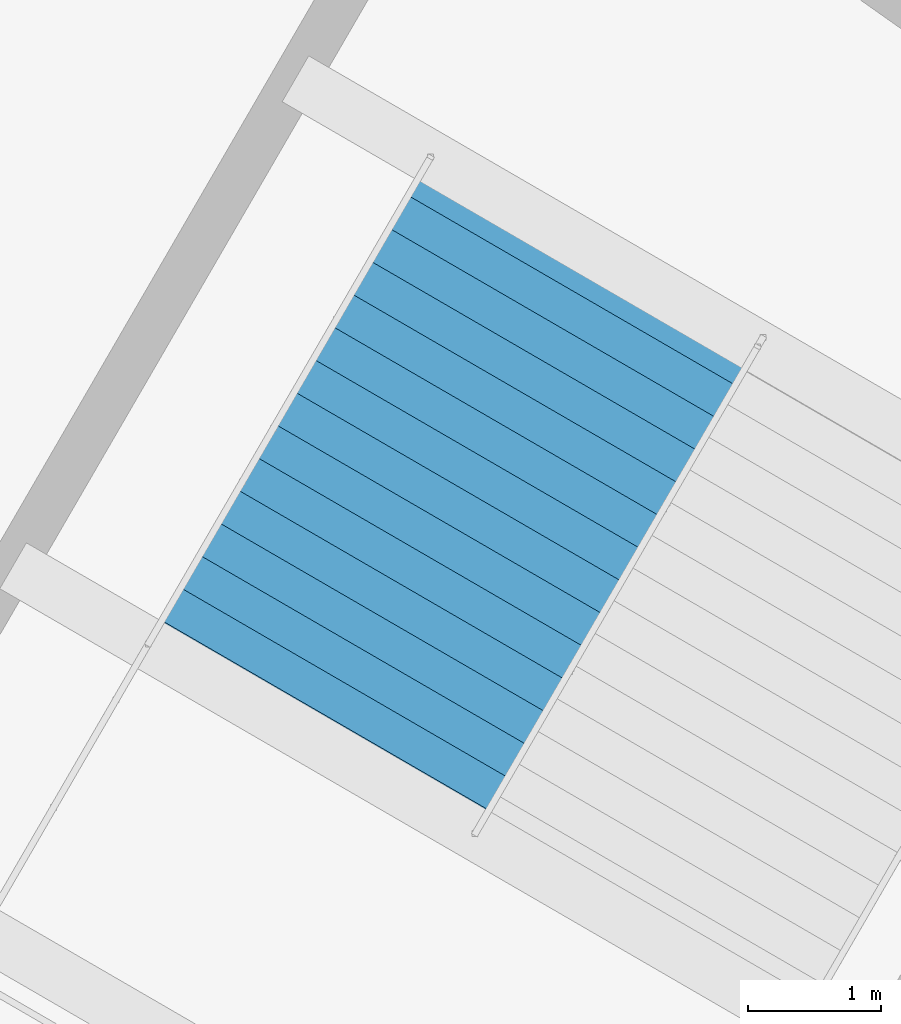
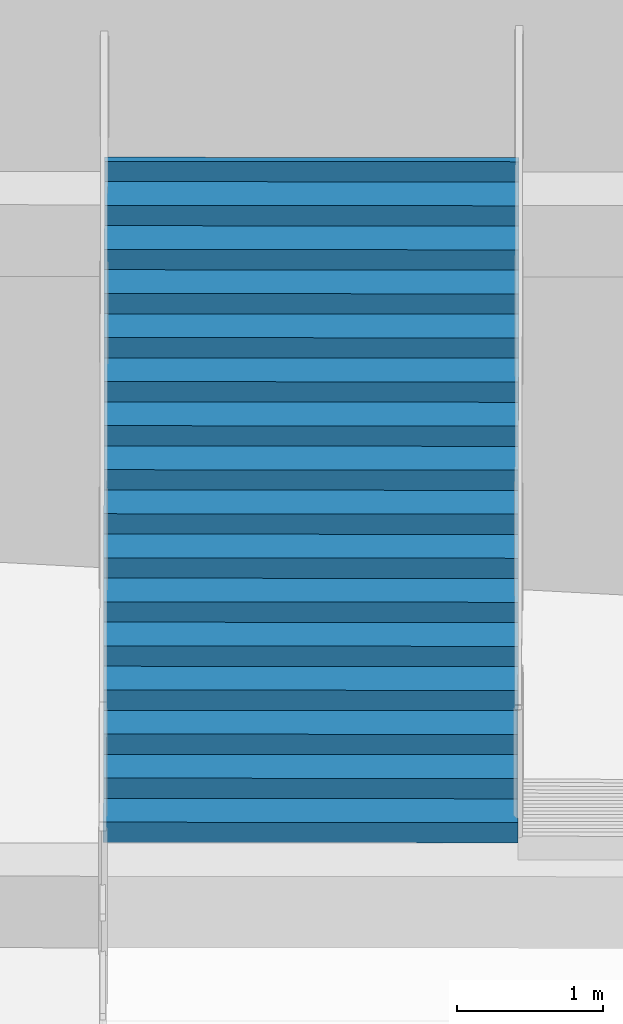
# One storey, part 89 of 103: 1 stair flight, 1 element without a shape of its own.
"""IFC4 building model written with IfcOpenShell, lengths in metres."""

import ifcopenshell
import ifcopenshell.guid

model = None  # the IFC model being written
_history = None  # IfcOwnerHistory: only IFC2X3 demands one
_inside = {}  # id of a spatial element -> (the spatial element, [elements in it])
_under = {}  # id of a project, library or spatial element -> (it, [spatial elements below it])
_declared = {}  # id of a project -> (the project, [libraries it declares])
_typed = {}  # id of a type object -> (the type object, [elements of that type])
_made_of = {}  # id of a material, layer set ... -> (it, [elements and type objects made of it])


def new_model(schema):
    """Start an empty IFC model of exactly this schema.

    Asked for "IFC4X3", IfcOpenShell would pick the latest addendum, in which some entities
    have other attributes; the version numbers below select the first issue.
    IFC2X3 requires an IfcOwnerHistory on every rooted entity: one is made here for all.
    """
    global model, _history
    if schema == "IFC4X3":
        model = ifcopenshell.file(schema_version=(4, 3, 0, 0))
    else:
        model = ifcopenshell.file(schema=schema)
    _inside.clear()
    _under.clear()
    _declared.clear()
    _typed.clear()
    _made_of.clear()
    _history = None
    if model.schema == "IFC2X3":
        org = make("IfcOrganization", Name="unknown")
        user = make(
            "IfcPersonAndOrganization",
            ThePerson=make("IfcPerson", FamilyName="unknown"),
            TheOrganization=org,
        )
        app = make(
            "IfcApplication",
            ApplicationDeveloper=org,
            Version="unknown",
            ApplicationFullName="unknown",
            ApplicationIdentifier="unknown",
        )
        _history = make(
            "IfcOwnerHistory",
            OwningUser=user,
            OwningApplication=app,
            ChangeAction="ADDED",
            CreationDate=0,
        )
    return model


def make(cls, **values):
    """One entity of the class cls with the attributes given. An attribute that is None is left unset."""
    return model.create_entity(
        cls, **{name: value for name, value in values.items() if value is not None}
    )


def rooted(cls, **values):
    """An entity with a GlobalId (a new one), such as an element, a storey or a relation."""
    return make(cls, GlobalId=ifcopenshell.guid.new(), OwnerHistory=_history, **values)


def si_unit(unit_type, name, prefix=None):
    """IfcSIUnit, for example si_unit("LENGTHUNIT", "METRE", prefix="MILLI")."""
    return make("IfcSIUnit", UnitType=unit_type, Prefix=prefix, Name=name)


def assignment(units):
    """IfcUnitAssignment: the units of a project."""
    return None if units is None else make("IfcUnitAssignment", Units=units)


def point(xyz):
    """IfcCartesianPoint."""
    return None if xyz is None else make("IfcCartesianPoint", Coordinates=xyz)


def direction(xyz):
    """IfcDirection."""
    return None if xyz is None else make("IfcDirection", DirectionRatios=xyz)


def frame(location, z_axis=None, x_axis=None):
    """IfcAxis2Placement3D, a coordinate frame: its origin and axes. An axis left out is left unset."""
    return make(
        "IfcAxis2Placement3D",
        Location=point(location),
        Axis=direction(z_axis),
        RefDirection=direction(x_axis),
    )


def origin():
    """The frame at (0, 0, 0) with its axes left unset."""
    return frame((0.0, 0.0, 0.0))


def place(relative_to, where):
    """IfcLocalPlacement: puts the frame where relative to a parent placement (None: the world)."""
    return make(
        "IfcLocalPlacement", PlacementRelTo=relative_to, RelativePlacement=where
    )


def context(
    kind, dimensions, precision=None, world=None, true_north=None, identifier=None
):
    """IfcGeometricRepresentationContext, for example the 3D "Model" context."""
    return make(
        "IfcGeometricRepresentationContext",
        ContextIdentifier=identifier,
        ContextType=kind,
        CoordinateSpaceDimension=dimensions,
        Precision=precision,
        WorldCoordinateSystem=world,
        TrueNorth=true_north,
    )


def subcontext(parent, identifier, kind, view, scale=None):
    """IfcGeometricRepresentationSubContext, for example "Body" below "Model"."""
    return make(
        "IfcGeometricRepresentationSubContext",
        ContextIdentifier=identifier,
        ContextType=kind,
        ParentContext=parent,
        TargetScale=scale,
        TargetView=view,
    )


def project(units=None, contexts=None):
    """IfcProject with its units and contexts."""
    return rooted(
        "IfcProject",
        Name="project",
        RepresentationContexts=contexts,
        UnitsInContext=assignment(units),
    )


def spatial(cls, under=None, at=None, **own):
    """A site, building, storey or space (cls), placed at a placement, below another one or the project."""
    s = rooted(cls, ObjectPlacement=at, **own)
    if under is not None:
        _under.setdefault(under.id(), (under, []))[1].append(s)
    return s


def point_list(points):
    """IfcCartesianPointList2D or 3D."""
    cls = (
        "IfcCartesianPointList2D" if len(points[0]) == 2 else "IfcCartesianPointList3D"
    )
    return make(cls, CoordList=points)


def polygons(points, faces, closed=None, point_numbers=None):
    """IfcPolygonalFaceSet: a face is its outer loop, then its inner loops; points numbered from 1."""
    made = []
    for loops in faces:
        if len(loops) == 1:
            made.append(make("IfcIndexedPolygonalFace", CoordIndex=loops[0]))
        else:
            made.append(
                make(
                    "IfcIndexedPolygonalFaceWithVoids",
                    CoordIndex=loops[0],
                    InnerCoordIndices=loops[1:],
                )
            )
    return make(
        "IfcPolygonalFaceSet",
        Coordinates=point_list(points),
        Closed=closed,
        Faces=made,
        PnIndex=point_numbers,
    )


def shape(context_of_items, identifier, shape_type, items):
    """IfcShapeRepresentation: the items that make up one representation, for example the "Body"."""
    return make(
        "IfcShapeRepresentation",
        ContextOfItems=context_of_items,
        RepresentationIdentifier=identifier,
        RepresentationType=shape_type,
        Items=items,
    )


def material(Name=None, Category=None):
    """IfcMaterial."""
    return make("IfcMaterial", Name=Name, Category=Category)


def made_of(thing, what):
    """Note that an element or type object is made of a material, layer set ...; save() writes the relation."""
    if what is not None:
        _made_of.setdefault(what.id(), (what, []))[1].append(thing)
    return thing


def type_object(cls, material=None, **own):
    """A type object (cls), such as IfcWallType, which elements share."""
    return made_of(rooted(cls, **own), material)


def element(
    cls,
    number,
    at=None,
    inside=None,
    cuts=None,
    type_object=None,
    material=None,
    context=None,
    identifier="Body",
    shape_type=None,
    held_by="IfcProductDefinitionShape",
    body=None,
    shapes=None,
    **own,
):
    """One element of the class cls, such as IfcWall. Its Tag is "e" and its number.

    at: its placement. inside: the storey or other place that contains it. cuts: it is an
    opening in that element (IfcRelVoidsElement). A single representation is given by context,
    identifier, shape_type and body (its items); several are given by shapes. held_by: the class
    of the entity that holds the representations. save() writes the other relations.
    """
    e = rooted(cls, Tag="e%d" % number, ObjectPlacement=at, **own)
    if body is not None:
        shapes = [shape(context, identifier, shape_type, body)]
    if shapes is not None:
        e.Representation = make(held_by, Representations=shapes)
    if inside is not None:
        _inside.setdefault(inside.id(), (inside, []))[1].append(e)
    if cuts is not None:
        rooted(
            "IfcRelVoidsElement", RelatingBuildingElement=cuts, RelatedOpeningElement=e
        )
    if type_object is not None:
        _typed.setdefault(type_object.id(), (type_object, []))[1].append(e)
    return made_of(e, material)


def aggregate(whole, parts):
    """IfcRelAggregates: a whole, such as a stair, and the parts it consists of."""
    return rooted("IfcRelAggregates", RelatingObject=whole, RelatedObjects=parts)


def save(model, path):
    """Write the relations noted so far, then the file.

    IfcRelAggregates (storeys below a building ...), IfcRelContainedInSpatialStructure (elements
    in a storey), IfcRelDefinesByType, IfcRelAssociatesMaterial and IfcRelDeclares: one each for
    every whole, place, type object, material and project.
    """
    for whole, parts in _under.values():
        aggregate(whole, parts)
    for where, things in _inside.values():
        rooted(
            "IfcRelContainedInSpatialStructure",
            RelatedElements=things,
            RelatingStructure=where,
        )
    for kind, things in _typed.values():
        rooted("IfcRelDefinesByType", RelatedObjects=things, RelatingType=kind)
    for what, things in _made_of.values():
        rooted("IfcRelAssociatesMaterial", RelatedObjects=things, RelatingMaterial=what)
    for by, libraries in _declared.values():
        rooted("IfcRelDeclares", RelatingContext=by, RelatedDefinitions=libraries)
    model.write(path)


model = new_model("IFC4")

# Units and contexts
model_context = context("Model", 3, precision=1e-05, world=origin(), true_north=direction((0.0, 1.0)))
body_context = subcontext(model_context, "Body", "Model", "MODEL_VIEW")
ifc_project = project(units=[si_unit("LENGTHUNIT", "METRE"), si_unit("AREAUNIT", "SQUARE_METRE"), si_unit("VOLUMEUNIT", "CUBIC_METRE"), si_unit("PLANEANGLEUNIT", "RADIAN"), si_unit("MASSUNIT", "GRAM", prefix="KILO")], contexts=[model_context])

# Site, building, storey
site_placement = place(None, origin())
site = spatial("IfcSite", under=ifc_project, at=site_placement, CompositionType="ELEMENT")
building_placement = place(site_placement, origin())
building = spatial("IfcBuilding", under=site, at=building_placement, Name="Kazemori Nagisa Stadium", CompositionType="ELEMENT")
storey_placement = place(building_placement, frame((0.0, 0.0, 25.840087890625)))
storey = spatial("IfcBuildingStorey", under=building, at=storey_placement, Name="L05", CompositionType="ELEMENT", Elevation=25.840087890625)

# Stair, stair flight
ifc_material = material(Name="Concrete C36/45 (Fc36)", Category="concrete")
stair_type = type_object("IfcStairType", Name="Stair_CORE_32", PredefinedType="TWO_STRAIGHT_RUN_STAIR", material=ifc_material)
stair_placement = place(storey_placement, origin())
stair = element("IfcStair", 1, at=stair_placement, inside=storey, type_object=stair_type, Name="Exit stair ST08 L05", PredefinedType="TWO_STRAIGHT_RUN_STAIR")
stair_flight_type = type_object("IfcStairFlightType", Name="Flight_CORE_16", PredefinedType="STRAIGHT", material=ifc_material)
stair_flight_placement = place(storey_placement, frame((44.868408203125, 148.343505859375, 2.719970703125), z_axis=(0.0, 0.0, 1.0), x_axis=(0.501596719773, 0.865101572483, 0.0)))
stair_flight = element("IfcStairFlight", 2, at=stair_flight_placement, type_object=stair_flight_type, Name="Exit stair ST08 L05 flight 2", NumberOfRisers=16, NumberOfTreads=15, PredefinedType="STRAIGHT", RiserHeight=0.17, TreadLength=0.285, context=body_context, shape_type="Tessellation", body=[
    polygons([(0.0, -1.425048828125, 0.0), (0.0, -1.425048828125, 0.169921875), (0.284912109375, -1.425048828125, 0.169921875), (0.284912109375, -1.425048828125, 0.340087890625), (0.570068359375, -1.425048828125, 0.340087890625), (0.570068359375, -1.425048828125, 0.510009765625), (0.85498046875, -1.425048828125, 0.510009765625), (0.85498046875, -1.425048828125, 0.679931640625), (1.139892578125, -1.425048828125, 0.679931640625), (1.139892578125, -1.425048828125, 0.85009765625), (1.425048828125, -1.425048828125, 0.85009765625), (1.425048828125, -1.425048828125, 1.02001953125), (1.7099609375, -1.425048828125, 1.02001953125), (1.7099609375, -1.425048828125, 1.18994140625), (1.9951171875, -1.425048828125, 1.18994140625), (1.9951171875, -1.425048828125, 1.360107421875), (2.280029296875, -1.425048828125, 1.360107421875), (2.280029296875, -1.425048828125, 1.530029296875), (2.56494140625, -1.425048828125, 1.530029296875), (2.56494140625, -1.425048828125, 1.699951171875), (2.85009765625, -1.425048828125, 1.699951171875), (2.85009765625, -1.425048828125, 1.8701171875), (3.135009765625, -1.425048828125, 1.8701171875), (3.135009765625, -1.425048828125, 2.0400390625), (3.419921875, -1.425048828125, 2.0400390625), (3.419921875, -1.425048828125, 2.2099609375), (3.705078125, -1.425048828125, 2.2099609375), (3.705078125, -1.425048828125, 2.3798828125), (3.989990234375, -1.425048828125, 2.3798828125), (3.989990234375, -1.425048828125, 2.550048828125), (4.27490234375, -1.425048828125, 2.550048828125), (4.27490234375, -1.425048828125, 2.719970703125), (4.324951171875, -1.425048828125, 2.719970703125), (4.324951171875, -1.425048828125, 2.346923828125), (4.27490234375, -1.425048828125, 2.317138671875), (3.989990234375, -1.425048828125, 2.147216796875), (3.705078125, -1.425048828125, 1.977294921875), (3.419921875, -1.425048828125, 1.80712890625), (3.135009765625, -1.425048828125, 1.63720703125), (2.85009765625, -1.425048828125, 1.46728515625), (2.56494140625, -1.425048828125, 1.297119140625), (2.280029296875, -1.425048828125, 1.127197265625), (1.9951171875, -1.425048828125, 0.957275390625), (1.7099609375, -1.425048828125, 0.787109375), (1.425048828125, -1.425048828125, 0.6171875), (1.139892578125, -1.425048828125, 0.447265625), (0.85498046875, -1.425048828125, 0.277099609375), (0.570068359375, -1.425048828125, 0.107177734375), (0.284912109375, -1.425048828125, 0.0), (0.0, -0.08544921875, 0.0), (0.0, -0.08544921875, 0.169921875), (0.284912109375, -0.08544921875, 0.169921875), (0.284912109375, -0.08544921875, 0.340087890625), (0.570068359375, -0.08544921875, 0.340087890625), (0.570068359375, -0.08544921875, 0.510009765625), (0.85498046875, -0.08544921875, 0.510009765625), (0.85498046875, -0.08544921875, 0.679931640625), (1.139892578125, -0.08544921875, 0.679931640625), (1.139892578125, -0.08544921875, 0.85009765625), (1.425048828125, -0.08544921875, 0.85009765625), (1.425048828125, -0.08544921875, 1.02001953125), (1.7099609375, -0.08544921875, 1.02001953125), (1.7099609375, -0.08544921875, 1.18994140625), (1.9951171875, -0.08544921875, 1.18994140625), (1.9951171875, -0.08544921875, 1.360107421875), (2.280029296875, -0.08544921875, 1.360107421875), (2.280029296875, -0.08544921875, 1.530029296875), (2.56494140625, -0.08544921875, 1.530029296875), (2.56494140625, -0.08544921875, 1.699951171875), (2.85009765625, -0.08544921875, 1.699951171875), (2.85009765625, -0.08544921875, 1.8701171875), (3.135009765625, -0.08544921875, 1.8701171875), (3.135009765625, -0.08544921875, 2.0400390625), (3.419921875, -0.08544921875, 2.0400390625), (3.419921875, -0.08544921875, 2.2099609375), (3.705078125, -0.08544921875, 2.2099609375), (3.705078125, -0.08544921875, 2.3798828125), (3.989990234375, -0.08544921875, 2.3798828125), (3.989990234375, -0.08544921875, 2.550048828125), (4.27490234375, -0.08544921875, 2.550048828125), (4.27490234375, -0.08544921875, 2.719970703125), (4.324951171875, -0.08544921875, 2.719970703125), (4.324951171875, -0.08544921875, 2.346923828125), (4.27490234375, -0.08544921875, 2.317138671875), (3.989990234375, -0.08544921875, 2.147216796875), (3.705078125, -0.08544921875, 1.977294921875), (3.419921875, -0.08544921875, 1.80712890625), (3.135009765625, -0.08544921875, 1.63720703125), (2.85009765625, -0.08544921875, 1.46728515625), (2.56494140625, -0.08544921875, 1.297119140625), (2.280029296875, -0.08544921875, 1.127197265625), (1.9951171875, -0.08544921875, 0.957275390625), (1.7099609375, -0.08544921875, 0.787109375), (1.425048828125, -0.08544921875, 0.6171875), (1.139892578125, -0.08544921875, 0.447265625), (0.85498046875, -0.08544921875, 0.277099609375), (0.570068359375, -0.08544921875, 0.107177734375), (0.284912109375, -0.08544921875, 0.0), (0.0, 0.0, 0.0), (0.0, 0.0, 0.169921875), (0.284912109375, 0.0, 0.169921875), (0.284912109375, 0.0, 0.340087890625), (0.570068359375, 0.0, 0.340087890625), (0.570068359375, 0.0, 0.510009765625), (0.85498046875, 0.0, 0.510009765625), (0.85498046875, 0.0, 0.679931640625), (1.139892578125, 0.0, 0.679931640625), (1.139892578125, 0.0, 0.85009765625), (1.425048828125, 0.0, 0.85009765625), (1.425048828125, 0.0, 1.02001953125), (1.7099609375, 0.0, 1.02001953125), (1.7099609375, 0.0, 1.18994140625), (1.9951171875, 0.0, 1.18994140625), (1.9951171875, 0.0, 1.360107421875), (2.280029296875, 0.0, 1.360107421875), (2.280029296875, 0.0, 1.530029296875), (2.56494140625, 0.0, 1.530029296875), (2.56494140625, 0.0, 1.699951171875), (2.85009765625, 0.0, 1.699951171875), (2.85009765625, 0.0, 1.8701171875), (3.135009765625, 0.0, 1.8701171875), (3.135009765625, 0.0, 2.0400390625), (3.419921875, 0.0, 2.0400390625), (3.419921875, 0.0, 2.2099609375), (3.705078125, 0.0, 2.2099609375), (3.705078125, 0.0, 2.3798828125), (3.989990234375, 0.0, 2.3798828125), (3.989990234375, 0.0, 2.550048828125), (4.27490234375, 0.0, 2.550048828125), (4.27490234375, 0.0, 2.719970703125), (4.324951171875, 0.0, 2.719970703125), (4.324951171875, 0.0, 2.346923828125), (4.27490234375, 0.0, 2.317138671875), (3.989990234375, 0.0, 2.147216796875), (3.705078125, 0.0, 1.977294921875), (3.419921875, 0.0, 1.80712890625), (3.135009765625, 0.0, 1.63720703125), (2.85009765625, 0.0, 1.46728515625), (2.56494140625, 0.0, 1.297119140625), (2.280029296875, 0.0, 1.127197265625), (1.9951171875, 0.0, 0.957275390625), (1.7099609375, 0.0, 0.787109375), (1.425048828125, 0.0, 0.6171875), (1.139892578125, 0.0, 0.447265625), (0.85498046875, 0.0, 0.277099609375), (0.570068359375, 0.0, 0.107177734375), (0.284912109375, 0.0, 0.0), (0.0, 0.08544921875, 0.0), (0.0, 0.08544921875, 0.169921875), (0.284912109375, 0.08544921875, 0.169921875), (0.284912109375, 0.08544921875, 0.340087890625), (0.570068359375, 0.08544921875, 0.340087890625), (0.570068359375, 0.08544921875, 0.510009765625), (0.85498046875, 0.08544921875, 0.510009765625), (0.85498046875, 0.08544921875, 0.679931640625), (1.139892578125, 0.08544921875, 0.679931640625), (1.139892578125, 0.08544921875, 0.85009765625), (1.425048828125, 0.08544921875, 0.85009765625), (1.425048828125, 0.08544921875, 1.02001953125), (1.7099609375, 0.08544921875, 1.02001953125), (1.7099609375, 0.08544921875, 1.18994140625), (1.9951171875, 0.08544921875, 1.18994140625), (1.9951171875, 0.08544921875, 1.360107421875), (2.280029296875, 0.08544921875, 1.360107421875), (2.280029296875, 0.08544921875, 1.530029296875), (2.56494140625, 0.08544921875, 1.530029296875), (2.56494140625, 0.08544921875, 1.699951171875), (2.85009765625, 0.08544921875, 1.699951171875), (2.85009765625, 0.08544921875, 1.8701171875), (3.135009765625, 0.08544921875, 1.8701171875), (3.135009765625, 0.08544921875, 2.0400390625), (3.419921875, 0.08544921875, 2.0400390625), (3.419921875, 0.08544921875, 2.2099609375), (3.705078125, 0.08544921875, 2.2099609375), (3.705078125, 0.08544921875, 2.3798828125), (3.989990234375, 0.08544921875, 2.3798828125), (3.989990234375, 0.08544921875, 2.550048828125), (4.27490234375, 0.08544921875, 2.550048828125), (4.27490234375, 0.08544921875, 2.719970703125), (4.324951171875, 0.08544921875, 2.719970703125), (4.324951171875, 0.08544921875, 2.346923828125), (4.27490234375, 0.08544921875, 2.317138671875), (3.989990234375, 0.08544921875, 2.147216796875), (3.705078125, 0.08544921875, 1.977294921875), (3.419921875, 0.08544921875, 1.80712890625), (3.135009765625, 0.08544921875, 1.63720703125), (2.85009765625, 0.08544921875, 1.46728515625), (2.56494140625, 0.08544921875, 1.297119140625), (2.280029296875, 0.08544921875, 1.127197265625), (1.9951171875, 0.08544921875, 0.957275390625), (1.7099609375, 0.08544921875, 0.787109375), (1.425048828125, 0.08544921875, 0.6171875), (1.139892578125, 0.08544921875, 0.447265625), (0.85498046875, 0.08544921875, 0.277099609375), (0.570068359375, 0.08544921875, 0.107177734375), (0.284912109375, 0.08544921875, 0.0), (0.0, 1.425048828125, 0.0), (0.0, 1.425048828125, 0.169921875), (0.284912109375, 1.425048828125, 0.169921875), (0.284912109375, 1.425048828125, 0.340087890625), (0.570068359375, 1.425048828125, 0.340087890625), (0.570068359375, 1.425048828125, 0.510009765625), (0.85498046875, 1.425048828125, 0.510009765625), (0.85498046875, 1.425048828125, 0.679931640625), (1.139892578125, 1.425048828125, 0.679931640625), (1.139892578125, 1.425048828125, 0.85009765625), (1.425048828125, 1.425048828125, 0.85009765625), (1.425048828125, 1.425048828125, 1.02001953125), (1.7099609375, 1.425048828125, 1.02001953125), (1.7099609375, 1.425048828125, 1.18994140625), (1.9951171875, 1.425048828125, 1.18994140625), (1.9951171875, 1.425048828125, 1.360107421875), (2.280029296875, 1.425048828125, 1.360107421875), (2.280029296875, 1.425048828125, 1.530029296875), (2.56494140625, 1.425048828125, 1.530029296875), (2.56494140625, 1.425048828125, 1.699951171875), (2.85009765625, 1.425048828125, 1.699951171875), (2.85009765625, 1.425048828125, 1.8701171875), (3.135009765625, 1.425048828125, 1.8701171875), (3.135009765625, 1.425048828125, 2.0400390625), (3.419921875, 1.425048828125, 2.0400390625), (3.419921875, 1.425048828125, 2.2099609375), (3.705078125, 1.425048828125, 2.2099609375), (3.705078125, 1.425048828125, 2.3798828125), (3.989990234375, 1.425048828125, 2.3798828125), (3.989990234375, 1.425048828125, 2.550048828125), (4.27490234375, 1.425048828125, 2.550048828125), (4.27490234375, 1.425048828125, 2.719970703125), (4.324951171875, 1.425048828125, 2.719970703125), (4.324951171875, 1.425048828125, 2.346923828125), (4.27490234375, 1.425048828125, 2.317138671875), (3.989990234375, 1.425048828125, 2.147216796875), (3.705078125, 1.425048828125, 1.977294921875), (3.419921875, 1.425048828125, 1.80712890625), (3.135009765625, 1.425048828125, 1.63720703125), (2.85009765625, 1.425048828125, 1.46728515625), (2.56494140625, 1.425048828125, 1.297119140625), (2.280029296875, 1.425048828125, 1.127197265625), (1.9951171875, 1.425048828125, 0.957275390625), (1.7099609375, 1.425048828125, 0.787109375), (1.425048828125, 1.425048828125, 0.6171875), (1.139892578125, 1.425048828125, 0.447265625), (0.85498046875, 1.425048828125, 0.277099609375), (0.570068359375, 1.425048828125, 0.107177734375), (0.284912109375, 1.425048828125, 0.0)], [[[1, 2, 51]], [[1, 51, 50]], [[2, 3, 52]], [[2, 52, 51]], [[3, 4, 53]], [[3, 53, 52]], [[4, 5, 54]], [[4, 54, 53]], [[5, 6, 55]], [[5, 55, 54]], [[6, 7, 56]], [[6, 56, 55]], [[7, 8, 57]], [[7, 57, 56]], [[8, 9, 58]], [[8, 58, 57]], [[9, 10, 59]], [[9, 59, 58]], [[10, 11, 60]], [[10, 60, 59]], [[11, 12, 61]], [[11, 61, 60]], [[12, 13, 62]], [[12, 62, 61]], [[13, 14, 63]], [[13, 63, 62]], [[14, 15, 64]], [[14, 64, 63]], [[15, 16, 65]], [[15, 65, 64]], [[16, 17, 66]], [[16, 66, 65]], [[17, 18, 67]], [[17, 67, 66]], [[18, 19, 68]], [[18, 68, 67]], [[19, 20, 69]], [[19, 69, 68]], [[20, 21, 70]], [[20, 70, 69]], [[21, 22, 71]], [[21, 71, 70]], [[22, 23, 72]], [[22, 72, 71]], [[23, 24, 73]], [[23, 73, 72]], [[24, 25, 74]], [[24, 74, 73]], [[25, 26, 75]], [[25, 75, 74]], [[26, 27, 76]], [[26, 76, 75]], [[27, 28, 77]], [[27, 77, 76]], [[28, 29, 78]], [[28, 78, 77]], [[29, 30, 79]], [[29, 79, 78]], [[30, 31, 80]], [[30, 80, 79]], [[31, 32, 81]], [[31, 81, 80]], [[32, 33, 82]], [[32, 82, 81]], [[33, 34, 83]], [[33, 83, 82]], [[34, 35, 84]], [[34, 84, 83]], [[35, 36, 85]], [[35, 85, 84]], [[36, 37, 86]], [[36, 86, 85]], [[37, 38, 87]], [[37, 87, 86]], [[38, 39, 88]], [[38, 88, 87]], [[39, 40, 89]], [[39, 89, 88]], [[40, 41, 90]], [[40, 90, 89]], [[41, 42, 91]], [[41, 91, 90]], [[42, 43, 92]], [[42, 92, 91]], [[43, 44, 93]], [[43, 93, 92]], [[44, 45, 94]], [[44, 94, 93]], [[45, 46, 95]], [[45, 95, 94]], [[46, 47, 96]], [[46, 96, 95]], [[47, 48, 97]], [[47, 97, 96]], [[48, 49, 98]], [[48, 98, 97]], [[49, 1, 50]], [[49, 50, 98]], [[50, 51, 100]], [[50, 100, 99]], [[51, 52, 101]], [[51, 101, 100]], [[52, 53, 102]], [[52, 102, 101]], [[53, 54, 103]], [[53, 103, 102]], [[54, 55, 104]], [[54, 104, 103]], [[55, 56, 105]], [[55, 105, 104]], [[56, 57, 106]], [[56, 106, 105]], [[57, 58, 107]], [[57, 107, 106]], [[58, 59, 108]], [[58, 108, 107]], [[59, 60, 109]], [[59, 109, 108]], [[60, 61, 110]], [[60, 110, 109]], [[61, 62, 111]], [[61, 111, 110]], [[62, 63, 112]], [[62, 112, 111]], [[63, 64, 113]], [[63, 113, 112]], [[64, 65, 114]], [[64, 114, 113]], [[65, 66, 115]], [[65, 115, 114]], [[66, 67, 116]], [[66, 116, 115]], [[67, 68, 117]], [[67, 117, 116]], [[68, 69, 118]], [[68, 118, 117]], [[69, 70, 119]], [[69, 119, 118]], [[70, 71, 120]], [[70, 120, 119]], [[71, 72, 121]], [[71, 121, 120]], [[72, 73, 122]], [[72, 122, 121]], [[73, 74, 123]], [[73, 123, 122]], [[74, 75, 124]], [[74, 124, 123]], [[75, 76, 125]], [[75, 125, 124]], [[76, 77, 126]], [[76, 126, 125]], [[77, 78, 127]], [[77, 127, 126]], [[78, 79, 128]], [[78, 128, 127]], [[79, 80, 129]], [[79, 129, 128]], [[80, 81, 130]], [[80, 130, 129]], [[81, 82, 131]], [[81, 131, 130]], [[82, 83, 132]], [[82, 132, 131]], [[83, 84, 133]], [[83, 133, 132]], [[84, 85, 134]], [[84, 134, 133]], [[85, 86, 135]], [[85, 135, 134]], [[86, 87, 136]], [[86, 136, 135]], [[87, 88, 137]], [[87, 137, 136]], [[88, 89, 138]], [[88, 138, 137]], [[89, 90, 139]], [[89, 139, 138]], [[90, 91, 140]], [[90, 140, 139]], [[91, 92, 141]], [[91, 141, 140]], [[92, 93, 142]], [[92, 142, 141]], [[93, 94, 143]], [[93, 143, 142]], [[94, 95, 144]], [[94, 144, 143]], [[95, 96, 145]], [[95, 145, 144]], [[96, 97, 146]], [[96, 146, 145]], [[97, 98, 147]], [[97, 147, 146]], [[98, 50, 99]], [[98, 99, 147]], [[99, 100, 149]], [[99, 149, 148]], [[100, 101, 150]], [[100, 150, 149]], [[101, 102, 151]], [[101, 151, 150]], [[102, 103, 152]], [[102, 152, 151]], [[103, 104, 153]], [[103, 153, 152]], [[104, 105, 154]], [[104, 154, 153]], [[105, 106, 155]], [[105, 155, 154]], [[106, 107, 156]], [[106, 156, 155]], [[107, 108, 157]], [[107, 157, 156]], [[108, 109, 158]], [[108, 158, 157]], [[109, 110, 159]], [[109, 159, 158]], [[110, 111, 160]], [[110, 160, 159]], [[111, 112, 161]], [[111, 161, 160]], [[112, 113, 162]], [[112, 162, 161]], [[113, 114, 163]], [[113, 163, 162]], [[114, 115, 164]], [[114, 164, 163]], [[115, 116, 165]], [[115, 165, 164]], [[116, 117, 166]], [[116, 166, 165]], [[117, 118, 167]], [[117, 167, 166]], [[118, 119, 168]], [[118, 168, 167]], [[119, 120, 169]], [[119, 169, 168]], [[120, 121, 170]], [[120, 170, 169]], [[121, 122, 171]], [[121, 171, 170]], [[122, 123, 172]], [[122, 172, 171]], [[123, 124, 173]], [[123, 173, 172]], [[124, 125, 174]], [[124, 174, 173]], [[125, 126, 175]], [[125, 175, 174]], [[126, 127, 176]], [[126, 176, 175]], [[127, 128, 177]], [[127, 177, 176]], [[128, 129, 178]], [[128, 178, 177]], [[129, 130, 179]], [[129, 179, 178]], [[130, 131, 180]], [[130, 180, 179]], [[131, 132, 181]], [[131, 181, 180]], [[132, 133, 182]], [[132, 182, 181]], [[133, 134, 183]], [[133, 183, 182]], [[134, 135, 184]], [[134, 184, 183]], [[135, 136, 185]], [[135, 185, 184]], [[136, 137, 186]], [[136, 186, 185]], [[137, 138, 187]], [[137, 187, 186]], [[138, 139, 188]], [[138, 188, 187]], [[139, 140, 189]], [[139, 189, 188]], [[140, 141, 190]], [[140, 190, 189]], [[141, 142, 191]], [[141, 191, 190]], [[142, 143, 192]], [[142, 192, 191]], [[143, 144, 193]], [[143, 193, 192]], [[144, 145, 194]], [[144, 194, 193]], [[145, 146, 195]], [[145, 195, 194]], [[146, 147, 196]], [[146, 196, 195]], [[147, 99, 148]], [[147, 148, 196]], [[148, 149, 198]], [[148, 198, 197]], [[149, 150, 199]], [[149, 199, 198]], [[150, 151, 200]], [[150, 200, 199]], [[151, 152, 201]], [[151, 201, 200]], [[152, 153, 202]], [[152, 202, 201]], [[153, 154, 203]], [[153, 203, 202]], [[154, 155, 204]], [[154, 204, 203]], [[155, 156, 205]], [[155, 205, 204]], [[156, 157, 206]], [[156, 206, 205]], [[157, 158, 207]], [[157, 207, 206]], [[158, 159, 208]], [[158, 208, 207]], [[159, 160, 209]], [[159, 209, 208]], [[160, 161, 210]], [[160, 210, 209]], [[161, 162, 211]], [[161, 211, 210]], [[162, 163, 212]], [[162, 212, 211]], [[163, 164, 213]], [[163, 213, 212]], [[164, 165, 214]], [[164, 214, 213]], [[165, 166, 215]], [[165, 215, 214]], [[166, 167, 216]], [[166, 216, 215]], [[167, 168, 217]], [[167, 217, 216]], [[168, 169, 218]], [[168, 218, 217]], [[169, 170, 219]], [[169, 219, 218]], [[170, 171, 220]], [[170, 220, 219]], [[171, 172, 221]], [[171, 221, 220]], [[172, 173, 222]], [[172, 222, 221]], [[173, 174, 223]], [[173, 223, 222]], [[174, 175, 224]], [[174, 224, 223]], [[175, 176, 225]], [[175, 225, 224]], [[176, 177, 226]], [[176, 226, 225]], [[177, 178, 227]], [[177, 227, 226]], [[178, 179, 228]], [[178, 228, 227]], [[179, 180, 229]], [[179, 229, 228]], [[180, 181, 230]], [[180, 230, 229]], [[181, 182, 231]], [[181, 231, 230]], [[182, 183, 232]], [[182, 232, 231]], [[183, 184, 233]], [[183, 233, 232]], [[184, 185, 234]], [[184, 234, 233]], [[185, 186, 235]], [[185, 235, 234]], [[186, 187, 236]], [[186, 236, 235]], [[187, 188, 237]], [[187, 237, 236]], [[188, 189, 238]], [[188, 238, 237]], [[189, 190, 239]], [[189, 239, 238]], [[190, 191, 240]], [[190, 240, 239]], [[191, 192, 241]], [[191, 241, 240]], [[192, 193, 242]], [[192, 242, 241]], [[193, 194, 243]], [[193, 243, 242]], [[194, 195, 244]], [[194, 244, 243]], [[195, 196, 245]], [[195, 245, 244]], [[196, 148, 197]], [[196, 197, 245]], [[3, 2, 1]], [[197, 198, 199]], [[49, 3, 1]], [[197, 199, 245]], [[48, 3, 49]], [[245, 199, 244]], [[5, 3, 48]], [[244, 199, 201]], [[5, 4, 3]], [[199, 200, 201]], [[47, 5, 48]], [[244, 201, 243]], [[7, 5, 47]], [[243, 201, 203]], [[7, 6, 5]], [[201, 202, 203]], [[46, 7, 47]], [[243, 203, 242]], [[9, 7, 46]], [[242, 203, 205]], [[9, 8, 7]], [[203, 204, 205]], [[45, 9, 46]], [[242, 205, 241]], [[11, 9, 45]], [[241, 205, 207]], [[11, 10, 9]], [[205, 206, 207]], [[44, 11, 45]], [[241, 207, 240]], [[13, 11, 44]], [[240, 207, 209]], [[13, 12, 11]], [[207, 208, 209]], [[43, 13, 44]], [[240, 209, 239]], [[15, 13, 43]], [[239, 209, 211]], [[15, 14, 13]], [[209, 210, 211]], [[42, 15, 43]], [[239, 211, 238]], [[17, 15, 42]], [[238, 211, 213]], [[17, 16, 15]], [[211, 212, 213]], [[41, 17, 42]], [[238, 213, 237]], [[19, 17, 41]], [[237, 213, 215]], [[19, 18, 17]], [[213, 214, 215]], [[40, 19, 41]], [[237, 215, 236]], [[21, 19, 40]], [[236, 215, 217]], [[21, 20, 19]], [[215, 216, 217]], [[39, 21, 40]], [[236, 217, 235]], [[23, 21, 39]], [[235, 217, 219]], [[23, 22, 21]], [[217, 218, 219]], [[38, 23, 39]], [[235, 219, 234]], [[25, 23, 38]], [[234, 219, 221]], [[25, 24, 23]], [[219, 220, 221]], [[37, 25, 38]], [[234, 221, 233]], [[27, 25, 37]], [[233, 221, 223]], [[27, 26, 25]], [[221, 222, 223]], [[36, 27, 37]], [[233, 223, 232]], [[29, 27, 36]], [[232, 223, 225]], [[29, 28, 27]], [[223, 224, 225]], [[35, 29, 36]], [[232, 225, 231]], [[31, 29, 35]], [[231, 225, 227]], [[31, 30, 29]], [[225, 226, 227]], [[34, 31, 35]], [[231, 227, 230]], [[33, 31, 34]], [[230, 227, 229]], [[33, 32, 31]], [[227, 228, 229]]], closed=True),
])
aggregate(stair, [stair_flight])

save(model, "model.ifc")
